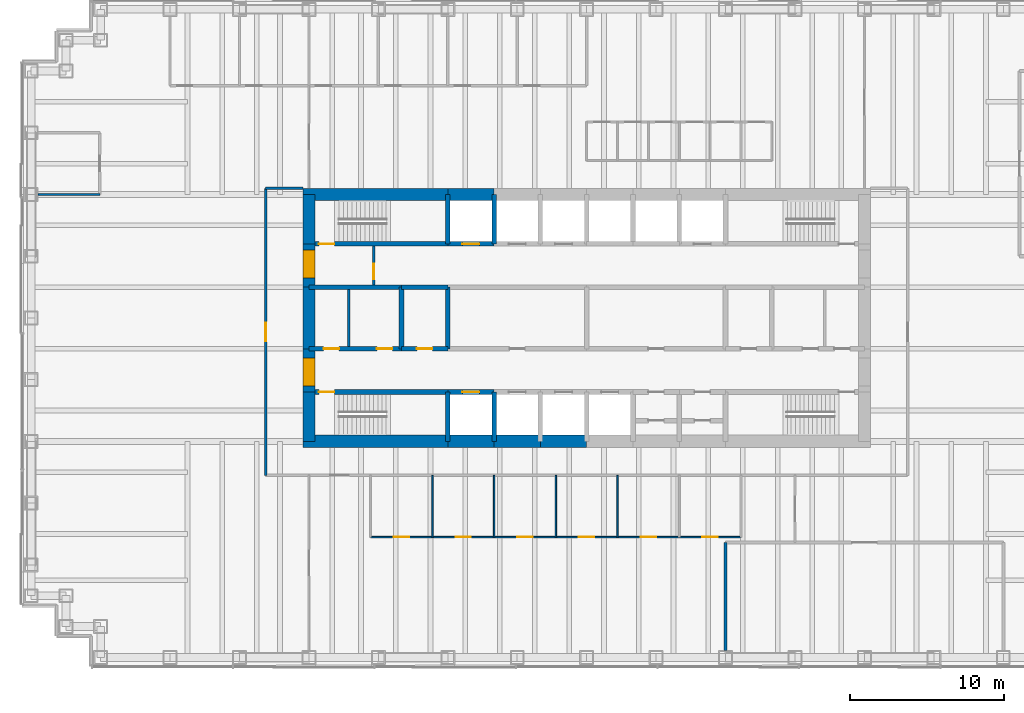
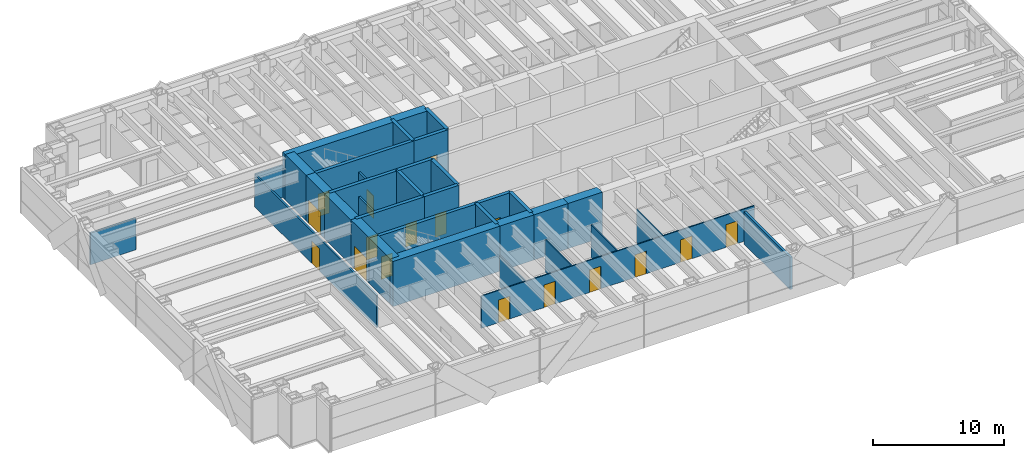
# One storey, part 8 of 12: 36 walls, 17 doors, 17 openings.
"""IFC4 building model written with IfcOpenShell, lengths in metres."""

from ifc_helpers import new_model, si_unit, direction, frame, frame_2d, origin, place, context, subcontext, project, spatial, rectangle, extrude, material, layer, layer_set, type_object, element, fill, save


model = new_model("IFC4")

# Units and contexts
model_context = context("Model", 3, precision=1e-05, world=origin(), true_north=direction((0.0, 1.0)))
body_context = subcontext(model_context, "Body", "Model", "MODEL_VIEW")
ifc_project = project(units=[si_unit("LENGTHUNIT", "METRE"), si_unit("AREAUNIT", "SQUARE_METRE"), si_unit("VOLUMEUNIT", "CUBIC_METRE"), si_unit("PLANEANGLEUNIT", "RADIAN"), si_unit("MASSUNIT", "GRAM", prefix="KILO")], contexts=[model_context])

# Site, building, storey
site_placement = place(None, origin())
site = spatial("IfcSite", under=ifc_project, at=site_placement, CompositionType="ELEMENT")
building_placement = place(site_placement, origin())
building = spatial("IfcBuilding", under=site, at=building_placement, Name="Rheinbord Bourse Tower", CompositionType="ELEMENT")
storey_placement = place(building_placement, frame((0.0, 0.0, 261.39990234375)))
storey = spatial("IfcBuildingStorey", under=building, at=storey_placement, Name="L59", CompositionType="ELEMENT", Elevation=261.39990234375)

# Wall
ifc_material_1 = material(Name="Acoustic gypsum board partition", Category="gypsum board")
ifc_layer_1 = layer(ifc_material_1, 0.199951171875)
ifc_layer_set_1 = layer_set([ifc_layer_1], Name="ACOUSTIC PARTITION 200")
wall_type_1 = type_object("IfcWallType", Name="ACOUSTIC PARTITION 200", PredefinedType="PARTITIONING", material=ifc_layer_set_1)
wall_1_placement = place(storey_placement, frame((45.0, 2.449951171875, 0.0), z_axis=(0.0, 0.0, 1.0), x_axis=(0.0, 1.0, 0.0)))
element("IfcWall", 1, at=wall_1_placement, inside=storey, type_object=wall_type_1, Name="Partition L59-37", PredefinedType="PARTITIONING", context=body_context, shape_type="SweptSolid", body=[
    extrude(rectangle(XDim=7.0, YDim=0.199951171875, at=frame_2d((3.5, 0.0))), origin(), (0.0, 0.0, 1.0), 3.0),
])

# Wall, opening, door
ifc_material_2 = material(Name="Concrete C50/60", Category="concrete")
ifc_layer_2 = layer(ifc_material_2, 0.300048828125)
ifc_layer_set_2 = layer_set([ifc_layer_2], Name="CORE INNER WALL 300")
wall_type_2 = type_object("IfcWallType", Name="CORE INNER WALL 300", PredefinedType="SOLIDWALL", material=ifc_layer_set_2)
wall_2_placement = place(storey_placement, frame((18.0, 19.199951171875, 0.0), z_axis=(0.0, 0.0, 1.0), x_axis=(1.0, 0.0, 0.0)))
wall_2 = element("IfcWall", 2, at=wall_2_placement, inside=storey, type_object=wall_type_2, Name="Core wall A1 L59", PredefinedType="SOLIDWALL", context=body_context, shape_type="SweptSolid", body=[
    extrude(rectangle(XDim=9.0, YDim=0.300048828125, at=frame_2d((4.5, 0.0))), origin(), (0.0, 0.0, 1.0), 4.2001953125),
])
opening_1_placement = place(wall_2_placement, frame((0.64990234375, 0.0, 0.0)))
opening_1 = element("IfcOpeningElement", 3, at=opening_1_placement, cuts=wall_2, Name="Opening 5910", PredefinedType="OPENING", context=body_context, shape_type="SweptSolid", body=[
    extrude(rectangle(XDim=1.0, YDim=2.10009765625, at=frame_2d((0.5, 1.050048828125))), frame((0.0, 0.159912109375, 0.0), z_axis=(0.0, -1.0, 0.0), x_axis=(1.0, 0.0, 0.0)), (0.0, 0.0, 1.0), 0.320068359375),
])
ifc_material_3 = material(Name="Steel door", Category="steel")
door_type_1 = type_object("IfcDoorType", Name="DOOR 1000 EI30", OperationType="SINGLE_SWING_LEFT", PredefinedType="DOOR", material=ifc_material_3)
door_1_placement = place(opening_1_placement, origin())
door_1 = element("IfcDoor", 4, at=door_1_placement, inside=storey, type_object=door_type_1, Name="Stair door ST1 L59", OperationType="SINGLE_SWING_LEFT", OverallHeight=2.10009765625, OverallWidth=1.0, PredefinedType="DOOR", context=body_context, shape_type="SweptSolid", body=[
    extrude(rectangle(XDim=1.0, YDim=2.10009765625, at=frame_2d((0.5, 1.050048828125))), frame((0.0, 0.02490234375, 0.0), z_axis=(0.0, -1.0, 0.0), x_axis=(1.0, 0.0, 0.0)), (0.0, 0.0, 1.0), 0.050048828125),
])
fill(opening_1, door_1)

wall_3_placement = place(storey_placement, frame((27.0, 19.199951171875, 0.0), z_axis=(0.0, 0.0, 1.0), x_axis=(1.0, 0.0, 0.0)))
wall_3 = element("IfcWall", 5, at=wall_3_placement, inside=storey, type_object=wall_type_2, Name="Core wall A2 L59", PredefinedType="SOLIDWALL", context=body_context, shape_type="SweptSolid", body=[
    extrude(rectangle(XDim=3.0, YDim=0.300048828125, at=frame_2d((1.5, 0.0))), origin(), (0.0, 0.0, 1.0), 4.2001953125),
])
opening_2_placement = place(wall_3_placement, frame((0.949951171875, 0.0, 0.0)))
opening_2 = element("IfcOpeningElement", 6, at=opening_2_placement, cuts=wall_3, Name="Opening FL1", PredefinedType="OPENING", context=body_context, shape_type="SweptSolid", body=[
    extrude(rectangle(XDim=1.10009765625, YDim=2.199951171875, at=frame_2d((0.550048828125, 1.10009765625))), frame((0.0, 0.159912109375, 0.0), z_axis=(0.0, -1.0, 0.0), x_axis=(1.0, 0.0, 0.0)), (0.0, 0.0, 1.0), 0.320068359375),
])
ifc_material_4 = material(Name="Steel landing door", Category="steel")
door_type_2 = type_object("IfcDoorType", Name="LIFT LANDING DOOR 1100", OperationType="DOUBLE_DOOR_SLIDING", PredefinedType="USERDEFINED", material=ifc_material_4)
door_2_placement = place(opening_2_placement, origin())
door_2 = element("IfcDoor", 7, at=door_2_placement, inside=storey, type_object=door_type_2, Name="Lift landing door FL1 L59", ObjectType="LIFT LANDING DOOR", OperationType="DOUBLE_DOOR_SLIDING", OverallHeight=2.199951171875, OverallWidth=1.10009765625, PredefinedType="USERDEFINED", context=body_context, shape_type="SweptSolid", body=[
    extrude(rectangle(XDim=1.10009765625, YDim=2.199951171875, at=frame_2d((0.550048828125, 1.10009765625))), frame((0.0, 0.02490234375, 0.0), z_axis=(0.0, -1.0, 0.0), x_axis=(1.0, 0.0, 0.0)), (0.0, 0.0, 1.0), 0.050048828125),
])
fill(opening_2, door_2)

wall_4_placement = place(storey_placement, frame((18.0, 28.800048828125, 0.0), z_axis=(0.0, 0.0, 1.0), x_axis=(1.0, 0.0, 0.0)))
wall_4 = element("IfcWall", 8, at=wall_4_placement, inside=storey, type_object=wall_type_2, Name="Core wall B1 L59", PredefinedType="SOLIDWALL", context=body_context, shape_type="SweptSolid", body=[
    extrude(rectangle(XDim=9.0, YDim=0.300048828125, at=frame_2d((4.5, 0.0))), origin(), (0.0, 0.0, 1.0), 4.2001953125),
])
opening_3_placement = place(wall_4_placement, frame((0.64990234375, 0.0, 0.0)))
opening_3 = element("IfcOpeningElement", 9, at=opening_3_placement, cuts=wall_4, Name="Opening 5920", PredefinedType="OPENING", context=body_context, shape_type="SweptSolid", body=[
    extrude(rectangle(XDim=1.0, YDim=2.10009765625, at=frame_2d((0.5, 1.050048828125))), frame((0.0, 0.159912109375, 0.0), z_axis=(0.0, -1.0, 0.0), x_axis=(1.0, 0.0, 0.0)), (0.0, 0.0, 1.0), 0.320068359375),
])
door_3_placement = place(opening_3_placement, origin())
door_3 = element("IfcDoor", 10, at=door_3_placement, inside=storey, type_object=door_type_1, Name="Stair door ST2 L59", OperationType="SINGLE_SWING_LEFT", OverallHeight=2.10009765625, OverallWidth=1.0, PredefinedType="DOOR", context=body_context, shape_type="SweptSolid", body=[
    extrude(rectangle(XDim=1.0, YDim=2.10009765625, at=frame_2d((0.5, 1.050048828125))), frame((0.0, 0.02490234375, 0.0), z_axis=(0.0, -1.0, 0.0), x_axis=(1.0, 0.0, 0.0)), (0.0, 0.0, 1.0), 0.050048828125),
])
fill(opening_3, door_3)

wall_5_placement = place(storey_placement, frame((27.0, 28.800048828125, 0.0), z_axis=(0.0, 0.0, 1.0), x_axis=(1.0, 0.0, 0.0)))
wall_5 = element("IfcWall", 11, at=wall_5_placement, inside=storey, type_object=wall_type_2, Name="Core wall B2 L59", PredefinedType="SOLIDWALL", context=body_context, shape_type="SweptSolid", body=[
    extrude(rectangle(XDim=3.0, YDim=0.300048828125, at=frame_2d((1.5, 0.0))), origin(), (0.0, 0.0, 1.0), 4.2001953125),
])
opening_4_placement = place(wall_5_placement, frame((0.949951171875, 0.0, 0.0)))
opening_4 = element("IfcOpeningElement", 12, at=opening_4_placement, cuts=wall_5, Name="Opening GL1", PredefinedType="OPENING", context=body_context, shape_type="SweptSolid", body=[
    extrude(rectangle(XDim=1.10009765625, YDim=2.199951171875, at=frame_2d((0.550048828125, 1.10009765625))), frame((0.0, 0.159912109375, 0.0), z_axis=(0.0, -1.0, 0.0), x_axis=(1.0, 0.0, 0.0)), (0.0, 0.0, 1.0), 0.320068359375),
])
door_4_placement = place(opening_4_placement, origin())
door_4 = element("IfcDoor", 13, at=door_4_placement, inside=storey, type_object=door_type_2, Name="Lift landing door GL1 L59", ObjectType="LIFT LANDING DOOR", OperationType="DOUBLE_DOOR_SLIDING", OverallHeight=2.199951171875, OverallWidth=1.10009765625, PredefinedType="USERDEFINED", context=body_context, shape_type="SweptSolid", body=[
    extrude(rectangle(XDim=1.10009765625, YDim=2.199951171875, at=frame_2d((0.550048828125, 1.10009765625))), frame((0.0, 0.02490234375, 0.0), z_axis=(0.0, -1.0, 0.0), x_axis=(1.0, 0.0, 0.0)), (0.0, 0.0, 1.0), 0.050048828125),
])
fill(opening_4, door_4)

# Wall, openings, doors
wall_6_placement = place(storey_placement, frame((18.0, 22.0, 0.0), z_axis=(0.0, 0.0, 1.0), x_axis=(1.0, 0.0, 0.0)))
wall_6 = element("IfcWall", 14, at=wall_6_placement, inside=storey, type_object=wall_type_2, Name="Core wall C1 L59", PredefinedType="SOLIDWALL", context=body_context, shape_type="SweptSolid", body=[
    extrude(rectangle(XDim=6.0, YDim=0.300048828125, at=frame_2d((3.0, 0.0))), origin(), (0.0, 0.0, 1.0), 4.2001953125),
])
opening_5_placement = place(wall_6_placement, frame((4.39990234375, 0.0, 0.0)))
opening_5 = element("IfcOpeningElement", 15, at=opening_5_placement, cuts=wall_6, Name="Opening 59R1", PredefinedType="OPENING", context=body_context, shape_type="SweptSolid", body=[
    extrude(rectangle(XDim=1.0, YDim=2.10009765625, at=frame_2d((0.5, 1.050048828125))), frame((0.0, 0.159912109375, 0.0), z_axis=(0.0, -1.0, 0.0), x_axis=(1.0, 0.0, 0.0)), (0.0, 0.0, 1.0), 0.320068359375),
])
opening_6_placement = place(wall_6_placement, frame((0.949951171875, 0.0, 0.0)))
opening_6 = element("IfcOpeningElement", 16, at=opening_6_placement, cuts=wall_6, Name="Opening 59R9", PredefinedType="OPENING", context=body_context, shape_type="SweptSolid", body=[
    extrude(rectangle(XDim=1.0, YDim=2.10009765625, at=frame_2d((0.5, 1.050048828125))), frame((0.0, 0.159912109375, 0.0), z_axis=(0.0, -1.0, 0.0), x_axis=(1.0, 0.0, 0.0)), (0.0, 0.0, 1.0), 0.320068359375),
])
door_5_placement = place(opening_6_placement, origin())
door_5 = element("IfcDoor", 17, at=door_5_placement, inside=storey, type_object=door_type_1, Name="Baby change door L59", OperationType="SINGLE_SWING_LEFT", OverallHeight=2.10009765625, OverallWidth=1.0, PredefinedType="DOOR", context=body_context, shape_type="SweptSolid", body=[
    extrude(rectangle(XDim=1.0, YDim=2.10009765625, at=frame_2d((0.5, 1.050048828125))), frame((0.0, 0.02490234375, 0.0), z_axis=(0.0, -1.0, 0.0), x_axis=(1.0, 0.0, 0.0)), (0.0, 0.0, 1.0), 0.050048828125),
])
fill(opening_6, door_5)
ifc_material_5 = material(Name="Timber door", Category="wood")
door_type_3 = type_object("IfcDoorType", Name="DOOR 1000 WC", OperationType="SINGLE_SWING_LEFT", PredefinedType="DOOR", material=ifc_material_5)
door_6_placement = place(opening_5_placement, origin())
door_6 = element("IfcDoor", 18, at=door_6_placement, inside=storey, type_object=door_type_3, Name="WC men door L59", OperationType="SINGLE_SWING_RIGHT", OverallHeight=2.10009765625, OverallWidth=1.0, PredefinedType="DOOR", context=body_context, shape_type="SweptSolid", body=[
    extrude(rectangle(XDim=1.0, YDim=2.10009765625, at=frame_2d((0.5, 1.050048828125))), frame((0.0, 0.02490234375, 0.0), z_axis=(0.0, -1.0, 0.0), x_axis=(1.0, 0.0, 0.0)), (0.0, 0.0, 1.0), 0.050048828125),
])
fill(opening_5, door_6)

# Wall, opening, door
wall_7_placement = place(storey_placement, frame((24.0, 22.0, 0.0), z_axis=(0.0, 0.0, 1.0), x_axis=(1.0, 0.0, 0.0)))
wall_7 = element("IfcWall", 19, at=wall_7_placement, inside=storey, type_object=wall_type_2, Name="Core wall C2 L59", PredefinedType="SOLIDWALL", context=body_context, shape_type="SweptSolid", body=[
    extrude(rectangle(XDim=3.0, YDim=0.300048828125, at=frame_2d((1.5, 0.0))), origin(), (0.0, 0.0, 1.0), 4.2001953125),
])
opening_7_placement = place(wall_7_placement, frame((1.0, 0.0, 0.0)))
opening_7 = element("IfcOpeningElement", 20, at=opening_7_placement, cuts=wall_7, Name="Opening 59R2", PredefinedType="OPENING", context=body_context, shape_type="SweptSolid", body=[
    extrude(rectangle(XDim=1.0, YDim=2.10009765625, at=frame_2d((0.5, 1.050048828125))), frame((0.0, 0.159912109375, 0.0), z_axis=(0.0, -1.0, 0.0), x_axis=(1.0, 0.0, 0.0)), (0.0, 0.0, 1.0), 0.320068359375),
])
door_7_placement = place(opening_7_placement, origin())
door_7 = element("IfcDoor", 21, at=door_7_placement, inside=storey, type_object=door_type_1, Name="First aid room door L59", OperationType="SINGLE_SWING_LEFT", OverallHeight=2.10009765625, OverallWidth=1.0, PredefinedType="DOOR", context=body_context, shape_type="SweptSolid", body=[
    extrude(rectangle(XDim=1.0, YDim=2.10009765625, at=frame_2d((0.5, 1.050048828125))), frame((0.0, 0.02490234375, 0.0), z_axis=(0.0, -1.0, 0.0), x_axis=(1.0, 0.0, 0.0)), (0.0, 0.0, 1.0), 0.050048828125),
])
fill(opening_7, door_7)

# Walls
wall_8_placement = place(storey_placement, frame((18.0, 26.0, 0.0), z_axis=(0.0, 0.0, 1.0), x_axis=(1.0, 0.0, 0.0)))
element("IfcWall", 22, at=wall_8_placement, inside=storey, type_object=wall_type_2, Name="Core wall D1 L59", PredefinedType="SOLIDWALL", context=body_context, shape_type="SweptSolid", body=[
    extrude(rectangle(XDim=6.0, YDim=0.300048828125, at=frame_2d((3.0, 0.0))), origin(), (0.0, 0.0, 1.0), 4.2001953125),
])
wall_9_placement = place(storey_placement, frame((24.0, 26.0, 0.0), z_axis=(0.0, 0.0, 1.0), x_axis=(1.0, 0.0, 0.0)))
element("IfcWall", 23, at=wall_9_placement, inside=storey, type_object=wall_type_2, Name="Core wall D2 L59", PredefinedType="SOLIDWALL", context=body_context, shape_type="SweptSolid", body=[
    extrude(rectangle(XDim=3.0, YDim=0.300048828125, at=frame_2d((1.5, 0.0))), origin(), (0.0, 0.0, 1.0), 4.2001953125),
])
for number, where, z_axis, x_axis, name in (
    (24, (27.0, 16.0, 0.0), (0.0, 0.0, 1.0), (0.0, 1.0, 0.0), "Core wall SX27 L59"),
    (25, (27.0, 28.800048828125, 0.0), (0.0, 0.0, 1.0), (0.0, 1.0, 0.0), "Core wall NX27 L59"),
    (26, (30.0, 16.0, 0.0), (0.0, 0.0, 1.0), (0.0, 1.0, 0.0), "Core wall SX30 L59"),
    (27, (30.0, 28.800048828125, 0.0), (0.0, 0.0, 1.0), (0.0, 1.0, 0.0), "Core wall NX30 L59"),
):
    element("IfcWall", number, at=place(storey_placement, frame(where, z_axis=z_axis, x_axis=x_axis)), inside=storey, type_object=wall_type_2, Name=name, PredefinedType="SOLIDWALL", context=body_context, shape_type="SweptSolid", body=[
        extrude(rectangle(XDim=3.199951171875, YDim=0.300048828125, at=frame_2d((1.60009765625, 0.0))), origin(), (0.0, 0.0, 1.0), 4.2001953125),
    ])
for number, where, z_axis, x_axis, name in (
    (28, (24.0, 22.0, 0.0), (0.0, 0.0, 1.0), (0.0, 1.0, 0.0), "Core wall MX24 L59"),
    (29, (27.0, 22.0, 0.0), (0.0, 0.0, 1.0), (0.0, 1.0, 0.0), "Core wall MX27 L59"),
):
    element("IfcWall", number, at=place(storey_placement, frame(where, z_axis=z_axis, x_axis=x_axis)), inside=storey, type_object=wall_type_2, Name=name, PredefinedType="SOLIDWALL", context=body_context, shape_type="SweptSolid", body=[
        extrude(rectangle(XDim=4.0, YDim=0.300048828125, at=frame_2d((2.0, 0.0))), origin(), (0.0, 0.0, 1.0), 4.2001953125),
    ])
ifc_material_6 = material(Name="Gypsum board fire partition", Category="gypsum board")
ifc_layer_3 = layer(ifc_material_6, 0.14990234375)
ifc_layer_set_3 = layer_set([ifc_layer_3], Name="CORE PARTITION 150 EI30")
wall_type_3 = type_object("IfcWallType", Name="CORE PARTITION 150 EI30", PredefinedType="PARTITIONING", material=ifc_layer_set_3)
wall_10_placement = place(storey_placement, frame((20.574951171875, 22.14990234375, 0.0), z_axis=(0.0, 0.0, 1.0), x_axis=(0.0, 1.0, 0.0)))
element("IfcWall", 30, at=wall_10_placement, inside=storey, type_object=wall_type_3, Name="Core partition L59-2", PredefinedType="PARTITIONING", context=body_context, shape_type="SweptSolid", body=[
    extrude(rectangle(XDim=3.7001953125, YDim=0.14990234375, at=frame_2d((1.85009765625, 0.0))), origin(), (0.0, 0.0, 1.0), 3.0),
])

# Wall, opening, door
wall_11_placement = place(storey_placement, frame((22.199951171875, 26.14990234375, 0.0), z_axis=(0.0, 0.0, 1.0), x_axis=(0.0, 1.0, 0.0)))
wall_11 = element("IfcWall", 31, at=wall_11_placement, inside=storey, type_object=wall_type_3, Name="Core partition L59-5", PredefinedType="PARTITIONING", context=body_context, shape_type="SweptSolid", body=[
    extrude(rectangle(XDim=2.5, YDim=0.14990234375, at=frame_2d((1.25, 0.0))), origin(), (0.0, 0.0, 1.0), 3.0),
])
opening_8_placement = place(wall_11_placement, frame((0.35009765625, 0.0, 0.0)))
opening_8 = element("IfcOpeningElement", 32, at=opening_8_placement, cuts=wall_11, Name="Opening 59L6", PredefinedType="OPENING", context=body_context, shape_type="SweptSolid", body=[
    extrude(rectangle(XDim=1.0, YDim=2.10009765625, at=frame_2d((0.5, 1.050048828125))), frame((0.0, 0.0849609375, 0.0), z_axis=(0.0, -1.0, 0.0), x_axis=(1.0, 0.0, 0.0)), (0.0, 0.0, 1.0), 0.169921875),
])
door_8_placement = place(opening_8_placement, origin())
door_8 = element("IfcDoor", 33, at=door_8_placement, inside=storey, type_object=door_type_1, Name="Stair lobby door L59", OperationType="SINGLE_SWING_LEFT", OverallHeight=2.10009765625, OverallWidth=1.0, PredefinedType="DOOR", context=body_context, shape_type="SweptSolid", body=[
    extrude(rectangle(XDim=1.0, YDim=2.10009765625, at=frame_2d((0.5, 1.050048828125))), frame((0.0, 0.02490234375, 0.0), z_axis=(0.0, -1.0, 0.0), x_axis=(1.0, 0.0, 0.0)), (0.0, 0.0, 1.0), 0.050048828125),
])
fill(opening_8, door_8)

# Walls
ifc_material_7 = material(Name="Concrete C50/60", Category="concrete")
ifc_layer_4 = layer(ifc_material_7, 0.800048828125)
ifc_layer_set_4 = layer_set([ifc_layer_4], Name="CORE WALL 800")
wall_type_4 = type_object("IfcWallType", Name="CORE WALL 800", PredefinedType="SHEAR", material=ifc_layer_set_4)
wall_12_placement = place(storey_placement, frame((17.60009765625, 16.0, 0.0), z_axis=(0.0, 0.0, 1.0), x_axis=(1.0, 0.0, 0.0)))
element("IfcWall", 34, at=wall_12_placement, inside=storey, type_object=wall_type_4, Name="Core wall S1 L59", PredefinedType="SHEAR", context=body_context, shape_type="SweptSolid", body=[
    extrude(rectangle(XDim=9.39990234375, YDim=0.800048828125, at=frame_2d((4.699951171875, 0.0))), origin(), (0.0, 0.0, 1.0), 4.2001953125),
])
for number, where, z_axis, x_axis, name in (
    (35, (27.0, 16.0, 0.0), (0.0, 0.0, 1.0), (1.0, 0.0, 0.0), "Core wall S2 L59"),
    (36, (30.0, 16.0, 0.0), (0.0, 0.0, 1.0), (1.0, 0.0, 0.0), "Core wall S3 L59"),
    (37, (33.0, 16.0, 0.0), (0.0, 0.0, 1.0), (1.0, 0.0, 0.0), "Core wall S4 L59"),
    (38, (30.0, 32.0, 0.0), (0.0, 0.0, 1.0), (-1.0, 0.0, 0.0), "Core wall N7 L59"),
):
    element("IfcWall", number, at=place(storey_placement, frame(where, z_axis=z_axis, x_axis=x_axis)), inside=storey, type_object=wall_type_4, Name=name, PredefinedType="SHEAR", context=body_context, shape_type="SweptSolid", body=[
        extrude(rectangle(XDim=3.0, YDim=0.800048828125, at=frame_2d((1.5, 0.0))), origin(), (0.0, 0.0, 1.0), 4.2001953125),
    ])
wall_13_placement = place(storey_placement, frame((27.0, 32.0, 0.0), z_axis=(0.0, 0.0, 1.0), x_axis=(-1.0, 0.0, 0.0)))
element("IfcWall", 39, at=wall_13_placement, inside=storey, type_object=wall_type_4, Name="Core wall N8 L59", PredefinedType="SHEAR", context=body_context, shape_type="SweptSolid", body=[
    extrude(rectangle(XDim=9.39990234375, YDim=0.800048828125, at=frame_2d((4.699951171875, 0.0))), origin(), (0.0, 0.0, 1.0), 4.2001953125),
])
wall_14_placement = place(storey_placement, frame((18.0, 32.0, 0.0), z_axis=(0.0, 0.0, 1.0), x_axis=(0.0, -1.0, 0.0)))
element("IfcWall", 40, at=wall_14_placement, inside=storey, type_object=wall_type_4, Name="Core wall W1 L59", PredefinedType="SHEAR", context=body_context, shape_type="SweptSolid", body=[
    extrude(rectangle(XDim=3.199951171875, YDim=0.800048828125, at=frame_2d((1.60009765625, 0.0))), origin(), (0.0, 0.0, 1.0), 4.2001953125),
])

# Wall, opening, door
wall_15_placement = place(storey_placement, frame((18.0, 28.800048828125, 0.0), z_axis=(0.0, 0.0, 1.0), x_axis=(0.0, -1.0, 0.0)))
wall_15 = element("IfcWall", 41, at=wall_15_placement, inside=storey, type_object=wall_type_4, Name="Core wall W2 L59", PredefinedType="SHEAR", context=body_context, shape_type="SweptSolid", body=[
    extrude(rectangle(XDim=2.800048828125, YDim=0.800048828125, at=frame_2d((1.39990234375, 0.0))), origin(), (0.0, 0.0, 1.0), 4.2001953125),
])
opening_9_placement = place(wall_15_placement, frame((0.39990234375, 0.0, 0.0)))
opening_9 = element("IfcOpeningElement", 42, at=opening_9_placement, cuts=wall_15, Name="Opening 59L2", PredefinedType="OPENING", context=body_context, shape_type="SweptSolid", body=[
    extrude(rectangle(XDim=1.800048828125, YDim=2.10009765625, at=frame_2d((0.89990234375, 1.050048828125))), frame((0.0, 0.409912109375, 0.0), z_axis=(0.0, -1.0, 0.0), x_axis=(1.0, 0.0, 0.0)), (0.0, 0.0, 1.0), 0.820068359375),
])
ifc_material_8 = material(Name="Steel door", Category="steel")
door_type_4 = type_object("IfcDoorType", Name="DOOR 1800 EI30 DOUBLE", OperationType="DOUBLE_DOOR_DOUBLE_SWING", PredefinedType="DOOR", material=ifc_material_8)
door_9_placement = place(opening_9_placement, origin())
door_9 = element("IfcDoor", 43, at=door_9_placement, inside=storey, type_object=door_type_4, Name="Lobby door 2 L59", OperationType="SINGLE_SWING_LEFT", OverallHeight=2.10009765625, OverallWidth=1.800048828125, PredefinedType="DOOR", context=body_context, shape_type="SweptSolid", body=[
    extrude(rectangle(XDim=1.800048828125, YDim=2.10009765625, at=frame_2d((0.89990234375, 1.050048828125))), frame((0.0, 0.39990234375, 0.0), z_axis=(0.0, -1.0, 0.0), x_axis=(1.0, 0.0, 0.0)), (0.0, 0.0, 1.0), 0.799560546875),
])
fill(opening_9, door_9)

# Wall
wall_16_placement = place(storey_placement, frame((18.0, 26.0, 0.0), z_axis=(0.0, 0.0, 1.0), x_axis=(0.0, -1.0, 0.0)))
element("IfcWall", 44, at=wall_16_placement, inside=storey, type_object=wall_type_4, Name="Core wall W3 L59", PredefinedType="SHEAR", context=body_context, shape_type="SweptSolid", body=[
    extrude(rectangle(XDim=4.0, YDim=0.800048828125, at=frame_2d((2.0, 0.0))), origin(), (0.0, 0.0, 1.0), 4.2001953125),
])

# Wall, opening, door
wall_17_placement = place(storey_placement, frame((18.0, 22.0, 0.0), z_axis=(0.0, 0.0, 1.0), x_axis=(0.0, -1.0, 0.0)))
wall_17 = element("IfcWall", 45, at=wall_17_placement, inside=storey, type_object=wall_type_4, Name="Core wall W4 L59", PredefinedType="SHEAR", context=body_context, shape_type="SweptSolid", body=[
    extrude(rectangle(XDim=2.800048828125, YDim=0.800048828125, at=frame_2d((1.39990234375, 0.0))), origin(), (0.0, 0.0, 1.0), 4.2001953125),
])
opening_10_placement = place(wall_17_placement, frame((0.60009765625, 0.0, 0.0)))
opening_10 = element("IfcOpeningElement", 46, at=opening_10_placement, cuts=wall_17, Name="Opening 59L1", PredefinedType="OPENING", context=body_context, shape_type="SweptSolid", body=[
    extrude(rectangle(XDim=1.800048828125, YDim=2.10009765625, at=frame_2d((0.89990234375, 1.050048828125))), frame((0.0, 0.409912109375, 0.0), z_axis=(0.0, -1.0, 0.0), x_axis=(1.0, 0.0, 0.0)), (0.0, 0.0, 1.0), 0.820068359375),
])
door_10_placement = place(opening_10_placement, origin())
door_10 = element("IfcDoor", 47, at=door_10_placement, inside=storey, type_object=door_type_4, Name="Lobby door 1 L59", OperationType="SINGLE_SWING_LEFT", OverallHeight=2.10009765625, OverallWidth=1.800048828125, PredefinedType="DOOR", context=body_context, shape_type="SweptSolid", body=[
    extrude(rectangle(XDim=1.800048828125, YDim=2.10009765625, at=frame_2d((0.89990234375, 1.050048828125))), frame((0.0, 0.39990234375, 0.0), z_axis=(0.0, -1.0, 0.0), x_axis=(1.0, 0.0, 0.0)), (0.0, 0.0, 1.0), 0.799560546875),
])
fill(opening_10, door_10)

# Walls
wall_18_placement = place(storey_placement, frame((18.0, 19.199951171875, 0.0), z_axis=(0.0, 0.0, 1.0), x_axis=(0.0, -1.0, 0.0)))
element("IfcWall", 48, at=wall_18_placement, inside=storey, type_object=wall_type_4, Name="Core wall W5 L59", PredefinedType="SHEAR", context=body_context, shape_type="SweptSolid", body=[
    extrude(rectangle(XDim=3.199951171875, YDim=0.800048828125, at=frame_2d((1.60009765625, 0.0))), origin(), (0.0, 0.0, 1.0), 4.2001953125),
])
ifc_material_9 = material(Name="Gypsum board corridor partition", Category="gypsum board")
ifc_layer_5 = layer(ifc_material_9, 0.14990234375)
ifc_layer_set_5 = layer_set([ifc_layer_5], Name="CORRIDOR PARTITION 150 EI30")
wall_type_5 = type_object("IfcWallType", Name="CORRIDOR PARTITION 150 EI30", PredefinedType="PARTITIONING", material=ifc_layer_set_5)
wall_19_placement = place(storey_placement, frame((15.199951171875, 32.39990234375, 0.0), z_axis=(0.0, 0.0, 1.0), x_axis=(1.0, 0.0, 0.0)))
element("IfcWall", 49, at=wall_19_placement, inside=storey, type_object=wall_type_5, Name="Partition L59-08", PredefinedType="PARTITIONING", context=body_context, shape_type="SweptSolid", body=[
    extrude(rectangle(XDim=2.400146484375, YDim=0.14990234375, at=frame_2d((1.2001953125, 0.0))), origin(), (0.0, 0.0, 1.0), 3.0),
])

# Wall, opening, door
wall_20_placement = place(storey_placement, frame((15.199951171875, 13.800048828125, 0.0), z_axis=(0.0, 0.0, 1.0), x_axis=(0.0, 1.0, 0.0)))
wall_20 = element("IfcWall", 50, at=wall_20_placement, inside=storey, type_object=wall_type_5, Name="Partition L59-18", PredefinedType="PARTITIONING", context=body_context, shape_type="SweptSolid", body=[
    extrude(rectangle(XDim=18.599853515625, YDim=0.14990234375, at=frame_2d((9.2998046875, 0.0))), origin(), (0.0, 0.0, 1.0), 3.0),
])
opening_11_placement = place(wall_20_placement, frame((8.699951171875, 0.0, 0.0)))
opening_11 = element("IfcOpeningElement", 51, at=opening_11_placement, cuts=wall_20, Name="Opening 59D27", PredefinedType="OPENING", context=body_context, shape_type="SweptSolid", body=[
    extrude(rectangle(XDim=1.199951171875, YDim=2.10009765625, at=frame_2d((0.60009765625, 1.050048828125))), frame((0.0, 0.0849609375, 0.0), z_axis=(0.0, -1.0, 0.0), x_axis=(1.0, 0.0, 0.0)), (0.0, 0.0, 1.0), 0.169921875),
])
ifc_material_10 = material(Name="Timber fire door", Category="wood")
door_type_5 = type_object("IfcDoorType", Name="SUITE ENTRANCE DOOR 1200 EI30", OperationType="SINGLE_SWING_LEFT", PredefinedType="DOOR", material=ifc_material_10)
door_11_placement = place(opening_11_placement, origin())
door_11 = element("IfcDoor", 52, at=door_11_placement, inside=storey, type_object=door_type_5, Name="Suite entrance 1 door L59", OperationType="SINGLE_SWING_LEFT", OverallHeight=2.10009765625, OverallWidth=1.199951171875, PredefinedType="DOOR", context=body_context, shape_type="SweptSolid", body=[
    extrude(rectangle(XDim=1.199951171875, YDim=2.10009765625, at=frame_2d((0.60009765625, 1.050048828125))), frame((0.0, 0.02490234375, 0.0), z_axis=(0.0, -1.0, 0.0), x_axis=(1.0, 0.0, 0.0)), (0.0, 0.0, 1.0), 0.050048828125),
])
fill(opening_11, door_11)

# Wall, openings, doors
ifc_material_11 = material(Name="Toughened laminated glass partition", Category="glass")
ifc_layer_6 = layer(ifc_material_11, 0.10009765625)
ifc_layer_set_6 = layer_set([ifc_layer_6], Name="GLAZED PARTITION 100")
wall_type_6 = type_object("IfcWallType", Name="GLAZED PARTITION 100", PredefinedType="PARTITIONING", material=ifc_layer_set_6)
wall_21_placement = place(storey_placement, frame((22.0, 9.800048828125, 0.0), z_axis=(0.0, 0.0, 1.0), x_axis=(1.0, 0.0, 0.0)))
wall_21 = element("IfcWall", 53, at=wall_21_placement, inside=storey, type_object=wall_type_6, Name="Partition L59-02", PredefinedType="PARTITIONING", context=body_context, shape_type="SweptSolid", body=[
    extrude(rectangle(XDim=24.0, YDim=0.10009765625, at=frame_2d((12.0, 0.0))), origin(), (0.0, 0.0, 1.0), 3.0),
])
opening_12_placement = place(wall_21_placement, frame((1.5, 0.0, 0.0)))
opening_12 = element("IfcOpeningElement", 54, at=opening_12_placement, cuts=wall_21, Name="Opening 59D02", PredefinedType="OPENING", context=body_context, shape_type="SweptSolid", body=[
    extrude(rectangle(XDim=1.0, YDim=2.10009765625, at=frame_2d((0.5, 1.050048828125))), frame((0.0, 0.06005859375, 0.0), z_axis=(0.0, -1.0, 0.0), x_axis=(1.0, 0.0, 0.0)), (0.0, 0.0, 1.0), 0.1201171875),
])
opening_13_placement = place(wall_21_placement, frame((5.5, 0.0, 0.0)))
opening_13 = element("IfcOpeningElement", 55, at=opening_13_placement, cuts=wall_21, Name="Opening 59D03", PredefinedType="OPENING", context=body_context, shape_type="SweptSolid", body=[
    extrude(rectangle(XDim=1.0, YDim=2.10009765625, at=frame_2d((0.5, 1.050048828125))), frame((0.0, 0.06005859375, 0.0), z_axis=(0.0, -1.0, 0.0), x_axis=(1.0, 0.0, 0.0)), (0.0, 0.0, 1.0), 0.1201171875),
])
opening_14_placement = place(wall_21_placement, frame((9.5, 0.0, 0.0)))
opening_14 = element("IfcOpeningElement", 56, at=opening_14_placement, cuts=wall_21, Name="Opening 59D04", PredefinedType="OPENING", context=body_context, shape_type="SweptSolid", body=[
    extrude(rectangle(XDim=1.0, YDim=2.10009765625, at=frame_2d((0.5, 1.050048828125))), frame((0.0, 0.06005859375, 0.0), z_axis=(0.0, -1.0, 0.0), x_axis=(1.0, 0.0, 0.0)), (0.0, 0.0, 1.0), 0.1201171875),
])
opening_15_placement = place(wall_21_placement, frame((13.5, 0.0, 0.0)))
opening_15 = element("IfcOpeningElement", 57, at=opening_15_placement, cuts=wall_21, Name="Opening 59D05", PredefinedType="OPENING", context=body_context, shape_type="SweptSolid", body=[
    extrude(rectangle(XDim=1.0, YDim=2.10009765625, at=frame_2d((0.5, 1.050048828125))), frame((0.0, 0.06005859375, 0.0), z_axis=(0.0, -1.0, 0.0), x_axis=(1.0, 0.0, 0.0)), (0.0, 0.0, 1.0), 0.1201171875),
])
opening_16_placement = place(wall_21_placement, frame((17.5, 0.0, 0.0)))
opening_16 = element("IfcOpeningElement", 58, at=opening_16_placement, cuts=wall_21, Name="Opening 59D06", PredefinedType="OPENING", context=body_context, shape_type="SweptSolid", body=[
    extrude(rectangle(XDim=1.0, YDim=2.10009765625, at=frame_2d((0.5, 1.050048828125))), frame((0.0, 0.06005859375, 0.0), z_axis=(0.0, -1.0, 0.0), x_axis=(1.0, 0.0, 0.0)), (0.0, 0.0, 1.0), 0.1201171875),
])
opening_17_placement = place(wall_21_placement, frame((21.5, 0.0, 0.0)))
opening_17 = element("IfcOpeningElement", 59, at=opening_17_placement, cuts=wall_21, Name="Opening 59D07", PredefinedType="OPENING", context=body_context, shape_type="SweptSolid", body=[
    extrude(rectangle(XDim=1.0, YDim=2.10009765625, at=frame_2d((0.5, 1.050048828125))), frame((0.0, 0.06005859375, 0.0), z_axis=(0.0, -1.0, 0.0), x_axis=(1.0, 0.0, 0.0)), (0.0, 0.0, 1.0), 0.1201171875),
])
ifc_material_12 = material(Name="Timber door", Category="wood")
door_type_6 = type_object("IfcDoorType", Name="ROOM DOOR 1000", OperationType="SINGLE_SWING_LEFT", PredefinedType="DOOR", material=ifc_material_12)
door_12_placement = place(opening_12_placement, origin())
door_12 = element("IfcDoor", 60, at=door_12_placement, inside=storey, type_object=door_type_6, Name="Project room door L59", OperationType="SINGLE_SWING_LEFT", OverallHeight=2.10009765625, OverallWidth=1.0, PredefinedType="DOOR", context=body_context, shape_type="SweptSolid", body=[
    extrude(rectangle(XDim=1.0, YDim=2.10009765625, at=frame_2d((0.5, 1.050048828125))), frame((0.0, 0.02490234375, 0.0), z_axis=(0.0, -1.0, 0.0), x_axis=(1.0, 0.0, 0.0)), (0.0, 0.0, 1.0), 0.050048828125),
])
fill(opening_12, door_12)
door_13_placement = place(opening_13_placement, origin())
door_13 = element("IfcDoor", 61, at=door_13_placement, inside=storey, type_object=door_type_6, Name="Project room door L59", OperationType="SINGLE_SWING_LEFT", OverallHeight=2.10009765625, OverallWidth=1.0, PredefinedType="DOOR", context=body_context, shape_type="SweptSolid", body=[
    extrude(rectangle(XDim=1.0, YDim=2.10009765625, at=frame_2d((0.5, 1.050048828125))), frame((0.0, 0.02490234375, 0.0), z_axis=(0.0, -1.0, 0.0), x_axis=(1.0, 0.0, 0.0)), (0.0, 0.0, 1.0), 0.050048828125),
])
fill(opening_13, door_13)
door_14_placement = place(opening_14_placement, origin())
door_14 = element("IfcDoor", 62, at=door_14_placement, inside=storey, type_object=door_type_6, Name="Project room door L59", OperationType="SINGLE_SWING_LEFT", OverallHeight=2.10009765625, OverallWidth=1.0, PredefinedType="DOOR", context=body_context, shape_type="SweptSolid", body=[
    extrude(rectangle(XDim=1.0, YDim=2.10009765625, at=frame_2d((0.5, 1.050048828125))), frame((0.0, 0.02490234375, 0.0), z_axis=(0.0, -1.0, 0.0), x_axis=(1.0, 0.0, 0.0)), (0.0, 0.0, 1.0), 0.050048828125),
])
fill(opening_14, door_14)
door_15_placement = place(opening_15_placement, origin())
door_15 = element("IfcDoor", 63, at=door_15_placement, inside=storey, type_object=door_type_6, Name="Project room door L59", OperationType="SINGLE_SWING_RIGHT", OverallHeight=2.10009765625, OverallWidth=1.0, PredefinedType="DOOR", context=body_context, shape_type="SweptSolid", body=[
    extrude(rectangle(XDim=1.0, YDim=2.10009765625, at=frame_2d((0.5, 1.050048828125))), frame((0.0, 0.02490234375, 0.0), z_axis=(0.0, -1.0, 0.0), x_axis=(1.0, 0.0, 0.0)), (0.0, 0.0, 1.0), 0.050048828125),
])
fill(opening_15, door_15)
door_16_placement = place(opening_16_placement, origin())
door_16 = element("IfcDoor", 64, at=door_16_placement, inside=storey, type_object=door_type_6, Name="Project room door L59", OperationType="SINGLE_SWING_RIGHT", OverallHeight=2.10009765625, OverallWidth=1.0, PredefinedType="DOOR", context=body_context, shape_type="SweptSolid", body=[
    extrude(rectangle(XDim=1.0, YDim=2.10009765625, at=frame_2d((0.5, 1.050048828125))), frame((0.0, 0.02490234375, 0.0), z_axis=(0.0, -1.0, 0.0), x_axis=(1.0, 0.0, 0.0)), (0.0, 0.0, 1.0), 0.050048828125),
])
fill(opening_16, door_16)
door_17_placement = place(opening_17_placement, origin())
door_17 = element("IfcDoor", 65, at=door_17_placement, inside=storey, type_object=door_type_6, Name="Project room door L59", OperationType="SINGLE_SWING_RIGHT", OverallHeight=2.10009765625, OverallWidth=1.0, PredefinedType="DOOR", context=body_context, shape_type="SweptSolid", body=[
    extrude(rectangle(XDim=1.0, YDim=2.10009765625, at=frame_2d((0.5, 1.050048828125))), frame((0.0, 0.02490234375, 0.0), z_axis=(0.0, -1.0, 0.0), x_axis=(1.0, 0.0, 0.0)), (0.0, 0.0, 1.0), 0.050048828125),
])
fill(opening_17, door_17)

# Walls
wall_22_placement = place(storey_placement, frame((26.0, 9.800048828125, 0.0), z_axis=(0.0, 0.0, 1.0), x_axis=(0.0, 1.0, 0.0)))
element("IfcWall", 66, at=wall_22_placement, inside=storey, type_object=wall_type_6, Name="Partition L59-24", PredefinedType="PARTITIONING", context=body_context, shape_type="SweptSolid", body=[
    extrude(rectangle(XDim=4.0, YDim=0.10009765625, at=frame_2d((2.0, 0.0))), origin(), (0.0, 0.0, 1.0), 2.942138671875),
])
for number, where, z_axis, x_axis, name in (
    (67, (30.0, 9.800048828125, 0.0), (0.0, 0.0, 1.0), (0.0, 1.0, 0.0), "Partition L59-26"),
    (68, (34.0, 9.800048828125, 0.0), (0.0, 0.0, 1.0), (0.0, 1.0, 0.0), "Partition L59-28"),
    (69, (38.0, 9.800048828125, 0.0), (0.0, 0.0, 1.0), (0.0, 1.0, 0.0), "Partition L59-31"),
):
    element("IfcWall", number, at=place(storey_placement, frame(where, z_axis=z_axis, x_axis=x_axis)), inside=storey, type_object=wall_type_6, Name=name, PredefinedType="PARTITIONING", context=body_context, shape_type="SweptSolid", body=[
        extrude(rectangle(XDim=4.0, YDim=0.10009765625, at=frame_2d((2.0, 0.0))), origin(), (0.0, 0.0, 1.0), 3.0),
    ])
ifc_material_13 = material(Name="Gypsum board partition", Category="gypsum board")
ifc_layer_7 = layer(ifc_material_13, 0.14990234375)
ifc_layer_set_7 = layer_set([ifc_layer_7], Name="PARTITION 150")
wall_type_7 = type_object("IfcWallType", Name="PARTITION 150", PredefinedType="PARTITIONING", material=ifc_layer_set_7)
wall_23_placement = place(storey_placement, frame((0.449951171875, 32.0, 0.0), z_axis=(0.0, 0.0, 1.0), x_axis=(1.0, 0.0, 0.0)))
element("IfcWall", 70, at=wall_23_placement, inside=storey, type_object=wall_type_7, Name="Partition L59-07", PredefinedType="PARTITIONING", context=body_context, shape_type="SweptSolid", body=[
    extrude(rectangle(XDim=4.0, YDim=0.14990234375, at=frame_2d((2.0, 0.0))), origin(), (0.0, 0.0, 1.0), 2.93017578125),
])

save(model, "model.ifc")
